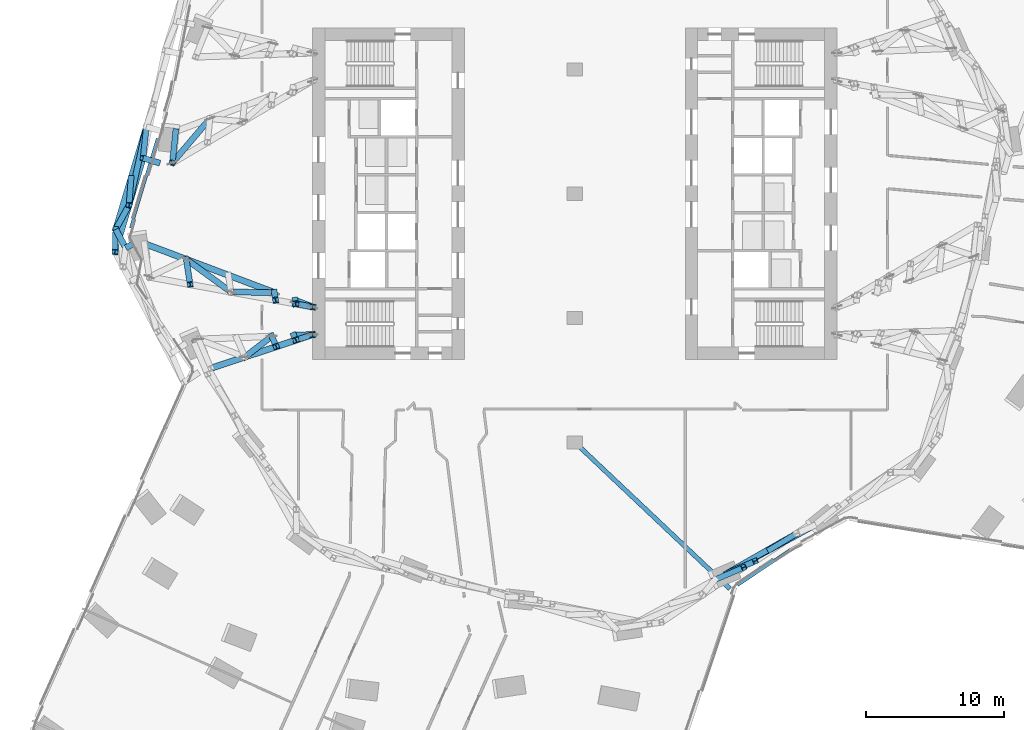
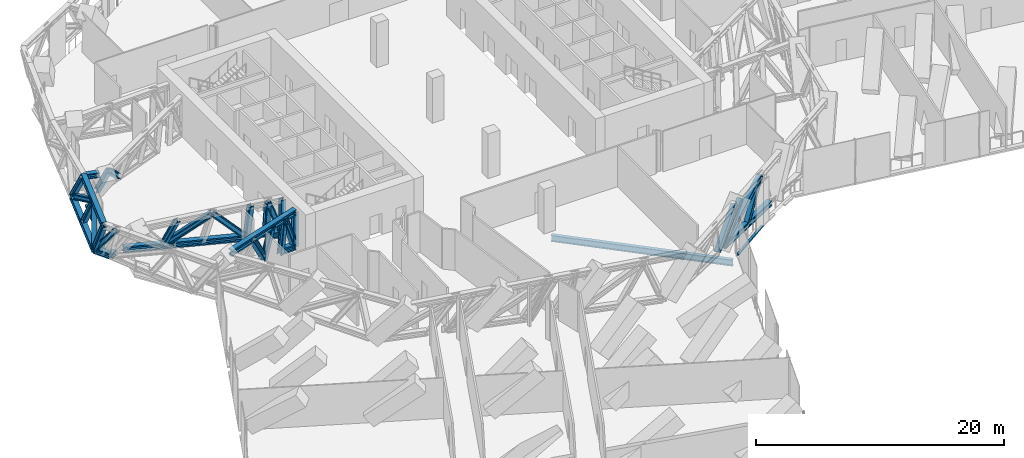
# One storey, part 7 of 39: 36 members, 1 beam, 2 elements without a shape of their own.
"""IFC4 building model written with IfcOpenShell, lengths in metres."""

import ifcopenshell
import ifcopenshell.guid

model = None  # the IFC model being written
_history = None  # IfcOwnerHistory: only IFC2X3 demands one
_inside = {}  # id of a spatial element -> (the spatial element, [elements in it])
_under = {}  # id of a project, library or spatial element -> (it, [spatial elements below it])
_declared = {}  # id of a project -> (the project, [libraries it declares])
_typed = {}  # id of a type object -> (the type object, [elements of that type])
_made_of = {}  # id of a material, layer set ... -> (it, [elements and type objects made of it])


def new_model(schema):
    """Start an empty IFC model of exactly this schema.

    Asked for "IFC4X3", IfcOpenShell would pick the latest addendum, in which some entities
    have other attributes; the version numbers below select the first issue.
    IFC2X3 requires an IfcOwnerHistory on every rooted entity: one is made here for all.
    """
    global model, _history
    if schema == "IFC4X3":
        model = ifcopenshell.file(schema_version=(4, 3, 0, 0))
    else:
        model = ifcopenshell.file(schema=schema)
    _inside.clear()
    _under.clear()
    _declared.clear()
    _typed.clear()
    _made_of.clear()
    _history = None
    if model.schema == "IFC2X3":
        org = make("IfcOrganization", Name="unknown")
        user = make(
            "IfcPersonAndOrganization",
            ThePerson=make("IfcPerson", FamilyName="unknown"),
            TheOrganization=org,
        )
        app = make(
            "IfcApplication",
            ApplicationDeveloper=org,
            Version="unknown",
            ApplicationFullName="unknown",
            ApplicationIdentifier="unknown",
        )
        _history = make(
            "IfcOwnerHistory",
            OwningUser=user,
            OwningApplication=app,
            ChangeAction="ADDED",
            CreationDate=0,
        )
    return model


def make(cls, **values):
    """One entity of the class cls with the attributes given. An attribute that is None is left unset."""
    return model.create_entity(
        cls, **{name: value for name, value in values.items() if value is not None}
    )


def rooted(cls, **values):
    """An entity with a GlobalId (a new one), such as an element, a storey or a relation."""
    return make(cls, GlobalId=ifcopenshell.guid.new(), OwnerHistory=_history, **values)


def si_unit(unit_type, name, prefix=None):
    """IfcSIUnit, for example si_unit("LENGTHUNIT", "METRE", prefix="MILLI")."""
    return make("IfcSIUnit", UnitType=unit_type, Prefix=prefix, Name=name)


def assignment(units):
    """IfcUnitAssignment: the units of a project."""
    return None if units is None else make("IfcUnitAssignment", Units=units)


def point(xyz):
    """IfcCartesianPoint."""
    return None if xyz is None else make("IfcCartesianPoint", Coordinates=xyz)


def direction(xyz):
    """IfcDirection."""
    return None if xyz is None else make("IfcDirection", DirectionRatios=xyz)


def frame(location, z_axis=None, x_axis=None):
    """IfcAxis2Placement3D, a coordinate frame: its origin and axes. An axis left out is left unset."""
    return make(
        "IfcAxis2Placement3D",
        Location=point(location),
        Axis=direction(z_axis),
        RefDirection=direction(x_axis),
    )


def frame_2d(location, x_axis=None):
    """IfcAxis2Placement2D, a coordinate frame in the plane: its origin and x axis."""
    return make(
        "IfcAxis2Placement2D", Location=point(location), RefDirection=direction(x_axis)
    )


def origin():
    """The frame at (0, 0, 0) with its axes left unset."""
    return frame((0.0, 0.0, 0.0))


def origin_2d():
    """The frame at (0, 0) in the plane with its x axis left unset."""
    return frame_2d((0.0, 0.0))


def place(relative_to, where):
    """IfcLocalPlacement: puts the frame where relative to a parent placement (None: the world)."""
    return make(
        "IfcLocalPlacement", PlacementRelTo=relative_to, RelativePlacement=where
    )


def context(
    kind, dimensions, precision=None, world=None, true_north=None, identifier=None
):
    """IfcGeometricRepresentationContext, for example the 3D "Model" context."""
    return make(
        "IfcGeometricRepresentationContext",
        ContextIdentifier=identifier,
        ContextType=kind,
        CoordinateSpaceDimension=dimensions,
        Precision=precision,
        WorldCoordinateSystem=world,
        TrueNorth=true_north,
    )


def subcontext(parent, identifier, kind, view, scale=None):
    """IfcGeometricRepresentationSubContext, for example "Body" below "Model"."""
    return make(
        "IfcGeometricRepresentationSubContext",
        ContextIdentifier=identifier,
        ContextType=kind,
        ParentContext=parent,
        TargetScale=scale,
        TargetView=view,
    )


def project(units=None, contexts=None):
    """IfcProject with its units and contexts."""
    return rooted(
        "IfcProject",
        Name="project",
        RepresentationContexts=contexts,
        UnitsInContext=assignment(units),
    )


def spatial(cls, under=None, at=None, **own):
    """A site, building, storey or space (cls), placed at a placement, below another one or the project."""
    s = rooted(cls, ObjectPlacement=at, **own)
    if under is not None:
        _under.setdefault(under.id(), (under, []))[1].append(s)
    return s


def profile(cls, at=None, kind="AREA", **sizes):
    """A parametric profile (cls). Its sizes go by their IFC names, for example OverallWidth=200.0."""
    return make(cls, ProfileType=kind, Position=at, **sizes)


def rectangle(**sizes):
    """IfcRectangleProfileDef."""
    return profile("IfcRectangleProfileDef", **sizes)


def i_section(**sizes):
    """IfcIShapeProfileDef."""
    return profile("IfcIShapeProfileDef", **sizes)


def extrude(swept, where, along, depth):
    """IfcExtrudedAreaSolid: the profile swept, set in the frame where, extruded along a direction by depth."""
    return make(
        "IfcExtrudedAreaSolid",
        SweptArea=swept,
        Position=where,
        ExtrudedDirection=direction(along),
        Depth=depth,
    )


def shape(context_of_items, identifier, shape_type, items):
    """IfcShapeRepresentation: the items that make up one representation, for example the "Body"."""
    return make(
        "IfcShapeRepresentation",
        ContextOfItems=context_of_items,
        RepresentationIdentifier=identifier,
        RepresentationType=shape_type,
        Items=items,
    )


def material(Name=None, Category=None):
    """IfcMaterial."""
    return make("IfcMaterial", Name=Name, Category=Category)


def material_profile(
    of_material, cross_section, Name=None, Category=None, Priority=None
):
    """IfcMaterialProfile: a cross section and its material."""
    return make(
        "IfcMaterialProfile",
        Name=Name,
        Material=of_material,
        Profile=cross_section,
        Priority=Priority,
        Category=Category,
    )


def profile_set(profiles, Name=None, composite=None):
    """IfcMaterialProfileSet."""
    return make(
        "IfcMaterialProfileSet",
        Name=Name,
        MaterialProfiles=profiles,
        CompositeProfile=composite,
    )


def made_of(thing, what):
    """Note that an element or type object is made of a material, layer set ...; save() writes the relation."""
    if what is not None:
        _made_of.setdefault(what.id(), (what, []))[1].append(thing)
    return thing


def type_object(cls, material=None, **own):
    """A type object (cls), such as IfcWallType, which elements share."""
    return made_of(rooted(cls, **own), material)


def element(
    cls,
    number,
    at=None,
    inside=None,
    cuts=None,
    type_object=None,
    material=None,
    context=None,
    identifier="Body",
    shape_type=None,
    held_by="IfcProductDefinitionShape",
    body=None,
    shapes=None,
    **own,
):
    """One element of the class cls, such as IfcWall. Its Tag is "e" and its number.

    at: its placement. inside: the storey or other place that contains it. cuts: it is an
    opening in that element (IfcRelVoidsElement). A single representation is given by context,
    identifier, shape_type and body (its items); several are given by shapes. held_by: the class
    of the entity that holds the representations. save() writes the other relations.
    """
    e = rooted(cls, Tag="e%d" % number, ObjectPlacement=at, **own)
    if body is not None:
        shapes = [shape(context, identifier, shape_type, body)]
    if shapes is not None:
        e.Representation = make(held_by, Representations=shapes)
    if inside is not None:
        _inside.setdefault(inside.id(), (inside, []))[1].append(e)
    if cuts is not None:
        rooted(
            "IfcRelVoidsElement", RelatingBuildingElement=cuts, RelatedOpeningElement=e
        )
    if type_object is not None:
        _typed.setdefault(type_object.id(), (type_object, []))[1].append(e)
    return made_of(e, material)


def aggregate(whole, parts):
    """IfcRelAggregates: a whole, such as a stair, and the parts it consists of."""
    return rooted("IfcRelAggregates", RelatingObject=whole, RelatedObjects=parts)


def save(model, path):
    """Write the relations noted so far, then the file.

    IfcRelAggregates (storeys below a building ...), IfcRelContainedInSpatialStructure (elements
    in a storey), IfcRelDefinesByType, IfcRelAssociatesMaterial and IfcRelDeclares: one each for
    every whole, place, type object, material and project.
    """
    for whole, parts in _under.values():
        aggregate(whole, parts)
    for where, things in _inside.values():
        rooted(
            "IfcRelContainedInSpatialStructure",
            RelatedElements=things,
            RelatingStructure=where,
        )
    for kind, things in _typed.values():
        rooted("IfcRelDefinesByType", RelatedObjects=things, RelatingType=kind)
    for what, things in _made_of.values():
        rooted("IfcRelAssociatesMaterial", RelatedObjects=things, RelatingMaterial=what)
    for by, libraries in _declared.values():
        rooted("IfcRelDeclares", RelatingContext=by, RelatedDefinitions=libraries)
    model.write(path)


model = new_model("IFC4")

# Units and contexts
model_context = context("Model", 3, precision=1e-05, world=origin(), true_north=direction((0.0, 1.0)))
body_context = subcontext(model_context, "Body", "Model", "MODEL_VIEW")
ifc_project = project(units=[si_unit("LENGTHUNIT", "METRE"), si_unit("AREAUNIT", "SQUARE_METRE"), si_unit("VOLUMEUNIT", "CUBIC_METRE"), si_unit("PLANEANGLEUNIT", "RADIAN"), si_unit("MASSUNIT", "GRAM", prefix="KILO")], contexts=[model_context])

# Site, building, storey
site_placement = place(None, origin())
site = spatial("IfcSite", under=ifc_project, at=site_placement, CompositionType="ELEMENT")
building_placement = place(site_placement, origin())
building = spatial("IfcBuilding", under=site, at=building_placement, Name="Orlundy Tower", CompositionType="ELEMENT")
storey_placement = place(building_placement, frame((0.0, 0.0, 141.199951171875)))
storey = spatial("IfcBuildingStorey", under=building, at=storey_placement, Name="L36", CompositionType="ELEMENT", Elevation=141.199951171875)

# Members
ifc_material_1 = material(Name="Steel ASTM A992 Gr 50", Category="steel")
ifc_material_profile_1 = material_profile(ifc_material_1, i_section(OverallWidth=0.4423828125, OverallDepth=0.531494140625, WebThickness=0.06591796875, FlangeThickness=0.105712890625, at=origin_2d()), Name="W14X605")
ifc_profile_set_1 = profile_set([ifc_material_profile_1], Name="Steel ASTM A992 Gr 50")
member_type_1 = type_object("IfcMemberType", Name="BELT TRUSS chord W14X605", PredefinedType="CHORD", material=ifc_profile_set_1)
member_1_placement = place(storey_placement, frame((10.968994140625, -27.501953125, 0.28466796875), z_axis=(0.877151584315, 0.480213596365, 0.0), x_axis=(-0.480213596365, 0.877151584315, 0.0)))
element("IfcMember", 1, at=member_1_placement, inside=storey, type_object=member_type_1, Name="Belt truss bottom chord BT-08", PredefinedType="CHORD", context=body_context, shape_type="SweptSolid", body=[
    extrude(i_section(OverallWidth=0.4423828125, OverallDepth=0.531494140625, WebThickness=0.06591796875, FlangeThickness=0.105712890625, at=origin_2d()), origin(), (0.0, 0.0, 1.0), 7.1708984375),
])
member_2_placement = place(storey_placement, frame((-31.023193359375, 4.85546875, 0.28466796875), z_axis=(-0.286836783843, -0.957979467126, 0.0), x_axis=(0.957979467126, -0.286836783843, 0.0)))
element("IfcMember", 2, at=member_2_placement, inside=storey, type_object=member_type_1, Name="Belt truss bottom chord BT-24A", PredefinedType="CHORD", context=body_context, shape_type="SweptSolid", body=[
    extrude(i_section(OverallWidth=0.4423828125, OverallDepth=0.531494140625, WebThickness=0.06591796875, FlangeThickness=0.105712890625, at=origin_2d()), origin(), (0.0, 0.0, 1.0), 7.75732421875),
])
member_3_placement = place(storey_placement, frame((-31.260986328125, 2.58056640625, 3.71533203125), z_axis=(-0.286846315318, -0.957976613174, 0.0), x_axis=(0.957976613174, -0.286846315318, 0.0)))
element("IfcMember", 3, at=member_3_placement, inside=storey, type_object=member_type_1, Name="Belt truss top chord BT-24A", PredefinedType="CHORD", context=body_context, shape_type="SweptSolid", body=[
    extrude(i_section(OverallWidth=0.4423828125, OverallDepth=0.531494140625, WebThickness=0.06591796875, FlangeThickness=0.105712890625, at=origin_2d()), origin(), (0.0, 0.0, 1.0), 7.100830078125),
])
member_4_placement = place(storey_placement, frame((-33.248291015625, -2.575927734375, 0.28466796875), z_axis=(0.474338387226, -0.880342600584, 0.0), x_axis=(0.880342600584, 0.474338387226, 0.0)))
element("IfcMember", 4, at=member_4_placement, inside=storey, type_object=member_type_1, Name="Belt truss bottom chord BT-24B", PredefinedType="CHORD", context=body_context, shape_type="SweptSolid", body=[
    extrude(i_section(OverallWidth=0.4423828125, OverallDepth=0.531494140625, WebThickness=0.06591796875, FlangeThickness=0.105712890625, at=origin_2d()), origin(), (0.0, 0.0, 1.0), 1.525634765625),
])
ifc_material_2 = material(Name="Steel ASTM A992 Gr 50", Category="steel")
ifc_material_profile_2 = material_profile(ifc_material_2, i_section(OverallWidth=0.42431640625, OverallDepth=0.47412109375, WebThickness=0.0478515625, FlangeThickness=0.0771484375, at=origin_2d()), Name="W14X426")
ifc_profile_set_2 = profile_set([ifc_material_profile_2], Name="Steel ASTM A992 Gr 50")
member_type_2 = type_object("IfcMemberType", Name="BELT TRUSS diagonal W14X426", PredefinedType="BRACE", material=ifc_profile_set_2)
member_5_placement = place(storey_placement, frame((10.968994140625, -27.501953125, 0.28466796875), z_axis=(0.74969064823, 0.426718186119, 0.505841399641), x_axis=(-0.494673171003, 0.869079083795, 0.0)))
element("IfcMember", 5, at=member_5_placement, inside=storey, type_object=member_type_2, Name="Belt truss diagonal BT-08-0", PredefinedType="BRACE", context=body_context, shape_type="SweptSolid", body=[
    extrude(i_section(OverallWidth=0.42431640625, OverallDepth=0.47412109375, WebThickness=0.0478515625, FlangeThickness=0.0771484375, at=origin_2d()), origin(), (0.0, 0.0, 1.0), 6.781982421875),
])
member_6_placement = place(storey_placement, frame((-31.023193359375, 4.85546875, 0.28466796875), z_axis=(-0.186079633282, -0.840884640198, 0.508219826411), x_axis=(0.976379357184, -0.216063302912, 0.0)))
element("IfcMember", 6, at=member_6_placement, inside=storey, type_object=member_type_2, Name="Belt truss diagonal BT-24A-0", PredefinedType="BRACE", context=body_context, shape_type="SweptSolid", body=[
    extrude(i_section(OverallWidth=0.42431640625, OverallDepth=0.47412109375, WebThickness=0.0478515625, FlangeThickness=0.0771484375, at=origin_2d()), origin(), (0.0, 0.0, 1.0), 6.750244140625),
])
member_7_placement = place(storey_placement, frame((-32.279296875, -0.82080078125, 3.71533203125), z_axis=(-0.243862791877, -0.441705621267, -0.863381192104), x_axis=(0.87544088789, -0.483325202954, 0.0)))
element("IfcMember", 7, at=member_7_placement, inside=storey, type_object=member_type_2, Name="Belt truss diagonal BT-24A-1", PredefinedType="BRACE", context=body_context, shape_type="SweptSolid", body=[
    extrude(i_section(OverallWidth=0.42431640625, OverallDepth=0.47412109375, WebThickness=0.0478515625, FlangeThickness=0.0771484375, at=origin_2d()), origin(), (0.0, 0.0, 1.0), 3.9736328125),
])
member_8_placement = place(storey_placement, frame((-33.248291015625, -2.575927734375, 0.28466796875), z_axis=(0.118658478632, -0.615038126503, 0.779517971824), x_axis=(0.981893198918, 0.189435334399, 0.0)))
element("IfcMember", 8, at=member_8_placement, inside=storey, type_object=member_type_2, Name="Belt truss diagonal BT-24B-0", PredefinedType="BRACE", context=body_context, shape_type="SweptSolid", body=[
    extrude(i_section(OverallWidth=0.42431640625, OverallDepth=0.47412109375, WebThickness=0.0478515625, FlangeThickness=0.0771484375, at=origin_2d()), origin(), (0.0, 0.0, 1.0), 4.401123046875),
])
ifc_material_3 = material(Name="Steel ASTM A992 Gr 50", Category="steel")
ifc_material_profile_3 = material_profile(ifc_material_3, i_section(OverallWidth=0.412109375, OverallDepth=0.434814453125, WebThickness=0.035888671875, FlangeThickness=0.057373046875, at=origin_2d()), Name="W14X311")
ifc_profile_set_3 = profile_set([ifc_material_profile_3], Name="Steel ASTM A992 Gr 50")
member_type_3 = type_object("IfcMemberType", Name="BELT TRUSS post W14X311", PredefinedType="POST", material=ifc_profile_set_3)
member_9_placement = place(storey_placement, frame((10.139892578125, -27.955810546875, 0.28466796875), z_axis=(0.509603381477, 0.219306485999, 0.831991020857), x_axis=(-0.395297037231, 0.918553347583, 0.0)))
element("IfcMember", 9, at=member_9_placement, inside=storey, type_object=member_type_3, Name="Belt truss post BT-07-2", PredefinedType="POST", context=body_context, shape_type="SweptSolid", body=[
    extrude(i_section(OverallWidth=0.412109375, OverallDepth=0.434814453125, WebThickness=0.035888671875, FlangeThickness=0.057373046875, at=origin_2d()), origin(), (0.0, 0.0, 1.0), 4.12353515625),
])
member_10_placement = place(storey_placement, frame((10.968994140625, -27.501953125, 0.28466796875), z_axis=(0.50955954754, 0.219313102962, 0.83201612387), x_axis=(-0.395335791465, 0.918536668831, 0.0)))
element("IfcMember", 10, at=member_10_placement, inside=storey, type_object=member_type_3, Name="Belt truss post BT-08-0", PredefinedType="POST", context=body_context, shape_type="SweptSolid", body=[
    extrude(i_section(OverallWidth=0.412109375, OverallDepth=0.434814453125, WebThickness=0.035888671875, FlangeThickness=0.057373046875, at=origin_2d()), origin(), (0.0, 0.0, 1.0), 4.123291015625),
])
member_11_placement = place(storey_placement, frame((14.114013671875, -25.7802734375, 0.28466796875), z_axis=(0.471701163363, 0.285134565266, 0.834383779907), x_axis=(-0.517312928878, 0.855796315495, 0.0)))
element("IfcMember", 11, at=member_11_placement, inside=storey, type_object=member_type_3, Name="Belt truss post BT-08-1", PredefinedType="POST", context=body_context, shape_type="SweptSolid", body=[
    extrude(i_section(OverallWidth=0.412109375, OverallDepth=0.434814453125, WebThickness=0.035888671875, FlangeThickness=0.057373046875, at=origin_2d()), origin(), (0.0, 0.0, 1.0), 4.111572265625),
])
member_12_placement = place(storey_placement, frame((-31.023193359375, 4.85546875, 0.28466796875), z_axis=(-0.057671261281, -0.551725680303, 0.832029325995), x_axis=(0.9945812229, -0.103962450215, 0.0)))
element("IfcMember", 12, at=member_12_placement, inside=storey, type_object=member_type_3, Name="Belt truss post BT-23A-2", PredefinedType="POST", context=body_context, shape_type="SweptSolid", body=[
    extrude(i_section(OverallWidth=0.412109375, OverallDepth=0.434814453125, WebThickness=0.035888671875, FlangeThickness=0.057373046875, at=origin_2d()), origin(), (0.0, 0.0, 1.0), 4.123291015625),
])
member_13_placement = place(storey_placement, frame((-32.1357421875, 1.139892578125, 0.28466796875), z_axis=(-0.036305883884, -0.495871689584, 0.867636531195), x_axis=(0.997330415864, -0.07302082985, 0.0)))
element("IfcMember", 13, at=member_13_placement, inside=storey, type_object=member_type_3, Name="Belt truss post BT-24A-1", PredefinedType="POST", context=body_context, shape_type="SweptSolid", body=[
    extrude(i_section(OverallWidth=0.412109375, OverallDepth=0.434814453125, WebThickness=0.035888671875, FlangeThickness=0.057373046875, at=origin_2d()), origin(), (0.0, 0.0, 1.0), 3.9541015625),
])
member_14_placement = place(storey_placement, frame((-33.248291015625, -2.575927734375, 0.28466796875), z_axis=(-0.01302367604, -0.432540019022, 0.901520668541), x_axis=(0.999547009172, -0.03009612027, 0.0)))
element("IfcMember", 14, at=member_14_placement, inside=storey, type_object=member_type_3, Name="Belt truss post BT-24A-2", PredefinedType="POST", context=body_context, shape_type="SweptSolid", body=[
    extrude(i_section(OverallWidth=0.412109375, OverallDepth=0.434814453125, WebThickness=0.035888671875, FlangeThickness=0.057373046875, at=origin_2d()), origin(), (0.0, 0.0, 1.0), 3.805419921875),
])
ifc_material_4 = material(Name="Steel ASTM A992 Gr 50", Category="steel")
ifc_material_profile_4 = material_profile(ifc_material_4, i_section(OverallWidth=0.43212890625, OverallDepth=0.497802734375, WebThickness=0.0556640625, FlangeThickness=0.0888671875, at=origin_2d()), Name="W14X500")
ifc_profile_set_4 = profile_set([ifc_material_profile_4], Name="Steel ASTM A992 Gr 50")
member_type_4 = type_object("IfcMemberType", Name="BELT TRUSS strut W14X500", PredefinedType="STRUT", material=ifc_profile_set_4)
member_15_placement = place(storey_placement, frame((-32.043212890625, -3.659423828125, 0.28466796875), z_axis=(-0.880256011153, -0.474499056722, 0.0), x_axis=(0.474499056722, -0.880256011153, 0.0)))
element("IfcMember", 15, at=member_15_placement, inside=storey, type_object=member_type_4, Name="Belt truss bracket C-H16", PredefinedType="STRUT", context=body_context, shape_type="SweptSolid", body=[
    extrude(i_section(OverallWidth=0.43212890625, OverallDepth=0.497802734375, WebThickness=0.0556640625, FlangeThickness=0.0888671875, at=origin_2d()), origin(), (0.0, 0.0, 1.0), 0.546875),
])
member_16_placement = place(storey_placement, frame((-30.039306640625, 2.214599609375, 3.71533203125), z_axis=(-0.957942122226, 0.28696147906, 0.0), x_axis=(-0.28696147906, -0.957942122226, 0.0)))
element("IfcMember", 16, at=member_16_placement, inside=storey, type_object=member_type_4, Name="Belt truss bracket C-H17", PredefinedType="STRUT", context=body_context, shape_type="SweptSolid", body=[
    extrude(i_section(OverallWidth=0.43212890625, OverallDepth=0.497802734375, WebThickness=0.0556640625, FlangeThickness=0.0888671875, at=origin_2d()), origin(), (0.0, 0.0, 1.0), 1.275390625),
])

# Beam
ifc_material_5 = material(Name="Steel ASTM A992 Gr 50", Category="steel")
ifc_material_profile_5 = material_profile(ifc_material_5, i_section(OverallWidth=0.32373046875, OverallDepth=0.611083984375, WebThickness=0.0126953125, FlangeThickness=0.01904296875, at=origin_2d()), Name="W24X104")
ifc_profile_set_5 = profile_set([ifc_material_profile_5], Name="Steel ASTM A992 Gr 50")
beam_type = type_object("IfcBeamType", Name="CANTILEVER GIRDER beam W24X104", PredefinedType="BEAM", material=ifc_profile_set_5)
beam_placement = place(storey_placement, frame((11.230712890625, -28.607666015625, -0.755615234375), z_axis=(-0.726983046677, 0.68665540837, 0.0), x_axis=(-0.68665540837, -0.726983046677, 0.0)))
element("IfcBeam", 17, at=beam_placement, inside=storey, type_object=beam_type, Name="Cantilever girder C-H09 L36", PredefinedType="BEAM", context=body_context, shape_type="SweptSolid", body=[
    extrude(i_section(OverallWidth=0.32373046875, OverallDepth=0.611083984375, WebThickness=0.0126953125, FlangeThickness=0.01904296875, at=origin_2d()), origin(), (0.0, 0.0, 1.0), 15.068115234375),
])

# Curtain wall, member
ifc_material_6 = material(Name="Aluminium bronze anodised", Category="aluminium")
curtain_wall_type = type_object("IfcCurtainWallType", Name="CW4 wall", PredefinedType="NOTDEFINED", material=ifc_material_6)
curtain_wall_1_placement = place(storey_placement, origin())
curtain_wall_1 = element("IfcCurtainWall", 18, at=curtain_wall_1_placement, inside=storey, type_object=curtain_wall_type, Name="CW4 run 016", PredefinedType="NOTDEFINED")
ifc_material_7 = material(Name="Aluminium bronze anodised", Category="aluminium")
ifc_material_profile_6 = material_profile(ifc_material_7, rectangle(XDim=0.199951171875, YDim=0.14990234375, at=origin_2d()), Name="CW4 transom 200x150")
ifc_profile_set_6 = profile_set([ifc_material_profile_6], Name="Aluminium bronze anodised")
member_type_5 = type_object("IfcMemberType", Name="CW4 transom 200x150", PredefinedType="USERDEFINED", material=ifc_profile_set_6)
member_17_placement = place(storey_placement, frame((-32.163330078125, -2.4814453125, -0.375), z_axis=(0.286844570312, 0.957977135678, 0.0), x_axis=(-0.957977135678, 0.286844570312, 0.0)))
member_17 = element("IfcMember", 19, at=member_17_placement, type_object=member_type_5, Name="CW4 transom", ObjectType="TRANSOM", PredefinedType="USERDEFINED", context=body_context, shape_type="SweptSolid", body=[
    extrude(rectangle(XDim=0.199951171875, YDim=0.14990234375, at=origin_2d()), origin(), (0.0, 0.0, 1.0), 6.7646484375),
])
aggregate(curtain_wall_1, [member_17])

curtain_wall_2_placement = place(storey_placement, origin())
curtain_wall_2 = element("IfcCurtainWall", 20, at=curtain_wall_2_placement, inside=storey, type_object=curtain_wall_type, Name="CW4 run 043", PredefinedType="NOTDEFINED")
member_18_placement = place(storey_placement, frame((15.572021484375, -25.803466796875, -0.375), z_axis=(-0.829034062907, -0.559198106702, 0.0), x_axis=(0.559198106702, -0.829034062907, 0.0)))
member_18 = element("IfcMember", 21, at=member_18_placement, type_object=member_type_5, Name="CW4 transom", ObjectType="TRANSOM", PredefinedType="USERDEFINED", context=body_context, shape_type="SweptSolid", body=[
    extrude(rectangle(XDim=0.199951171875, YDim=0.14990234375, at=origin_2d()), origin(), (0.0, 0.0, 1.0), 4.563720703125),
])
aggregate(curtain_wall_2, [member_18])

# Members
ifc_material_8 = material(Name="Steel ASTM A992 Gr 50", Category="steel")
ifc_material_profile_7 = material_profile(ifc_material_8, i_section(OverallWidth=0.454345703125, OverallDepth=0.569580078125, WebThickness=0.077880859375, FlangeThickness=0.124755859375, at=origin_2d()), Name="W14X730")
ifc_profile_set_7 = profile_set([ifc_material_profile_7], Name="Steel ASTM A992 Gr 50")
member_type_6 = type_object("IfcMemberType", Name="OUTRIGGER TRUSS chord W14X730", PredefinedType="CHORD", material=ifc_profile_set_7)
member_19_placement = place(storey_placement, frame((-18.97998046875, -10.199951171875, 0.28466796875), z_axis=(-0.999182859067, -0.040417992867, 0.0), x_axis=(0.040417992867, -0.999182859067, 0.0)))
element("IfcMember", 22, at=member_19_placement, inside=storey, type_object=member_type_6, Name="Outrigger truss bottom chord OR-W-C-H15", PredefinedType="CHORD", context=body_context, shape_type="SweptSolid", body=[
    extrude(i_section(OverallWidth=0.454345703125, OverallDepth=0.569580078125, WebThickness=0.077880859375, FlangeThickness=0.124755859375, at=origin_2d()), origin(), (0.0, 0.0, 1.0), 1.365234375),
])
member_20_placement = place(storey_placement, frame((-18.97998046875, -10.199951171875, 3.71533203125), z_axis=(-0.949488289081, -0.313802467961, 0.0), x_axis=(0.313802467961, -0.949488289081, 0.0)))
element("IfcMember", 23, at=member_20_placement, inside=storey, type_object=member_type_6, Name="Outrigger truss top chord OR-W-C-H15", PredefinedType="CHORD", context=body_context, shape_type="SweptSolid", body=[
    extrude(i_section(OverallWidth=0.454345703125, OverallDepth=0.569580078125, WebThickness=0.077880859375, FlangeThickness=0.124755859375, at=origin_2d()), origin(), (0.0, 0.0, 1.0), 7.764404296875),
])
member_21_placement = place(storey_placement, frame((-18.97998046875, -8.199951171875, 0.28466796875), z_axis=(-0.935768948018, 0.352613777275, 0.0), x_axis=(-0.352613777275, -0.935768948018, 0.0)))
element("IfcMember", 24, at=member_21_placement, inside=storey, type_object=member_type_6, Name="Outrigger truss bottom chord OR-W-C-H16", PredefinedType="CHORD", context=body_context, shape_type="SweptSolid", body=[
    extrude(i_section(OverallWidth=0.454345703125, OverallDepth=0.569580078125, WebThickness=0.077880859375, FlangeThickness=0.124755859375, at=origin_2d()), origin(), (0.0, 0.0, 1.0), 1.364013671875),
])
member_22_placement = place(storey_placement, frame((-21.753662109375, -7.155029296875, 0.28466796875), z_axis=(-0.935791509422, 0.352553897857, 0.0), x_axis=(-0.352553897857, -0.935791509422, 0.0)))
element("IfcMember", 25, at=member_22_placement, inside=storey, type_object=member_type_6, Name="Outrigger truss bottom chord OR-W-C-H162", PredefinedType="CHORD", context=body_context, shape_type="SweptSolid", body=[
    extrude(i_section(OverallWidth=0.454345703125, OverallDepth=0.569580078125, WebThickness=0.077880859375, FlangeThickness=0.124755859375, at=origin_2d()), origin(), (0.0, 0.0, 1.0), 10.07861328125),
])
ifc_material_9 = material(Name="Steel ASTM A992 Gr 50", Category="steel")
ifc_material_profile_8 = material_profile(ifc_material_9, i_section(OverallWidth=0.43212890625, OverallDepth=0.497802734375, WebThickness=0.0556640625, FlangeThickness=0.0888671875, at=origin_2d()), Name="W14X500")
ifc_profile_set_8 = profile_set([ifc_material_profile_8], Name="Steel ASTM A992 Gr 50")
member_type_7 = type_object("IfcMemberType", Name="OUTRIGGER TRUSS diagonal W14X500", PredefinedType="BRACE", material=ifc_profile_set_8)
member_23_placement = place(storey_placement, frame((-18.97998046875, -10.199951171875, 0.28466796875), z_axis=(-0.331788411095, -0.109684874648, 0.936955537118), x_axis=(0.313879854738, -0.949462709531, 0.0)))
element("IfcMember", 26, at=member_23_placement, inside=storey, type_object=member_type_7, Name="Outrigger truss diagonal OR-W-C-H15-0", PredefinedType="BRACE", context=body_context, shape_type="SweptSolid", body=[
    extrude(i_section(OverallWidth=0.43212890625, OverallDepth=0.497802734375, WebThickness=0.0556640625, FlangeThickness=0.0888671875, at=origin_2d()), origin(), (0.0, 0.0, 1.0), 3.66162109375),
])
member_24_placement = place(storey_placement, frame((-21.942626953125, -10.320068359375, 0.28466796875), z_axis=(-0.462193621995, -0.356080393286, 0.812147652403), x_axis=(0.610299419901, -0.792170826318, 0.0)))
element("IfcMember", 27, at=member_24_placement, inside=storey, type_object=member_type_7, Name="Outrigger truss diagonal OR-W-C-H15-2", PredefinedType="BRACE", context=body_context, shape_type="SweptSolid", body=[
    extrude(i_section(OverallWidth=0.43212890625, OverallDepth=0.497802734375, WebThickness=0.0556640625, FlangeThickness=0.0888671875, at=origin_2d()), origin(), (0.0, 0.0, 1.0), 4.22412109375),
])
member_25_placement = place(storey_placement, frame((-18.97998046875, -8.199951171875, 0.28466796875), z_axis=(-0.33873066607, 0.062200838286, 0.938825112351), x_axis=(-0.180609391503, -0.983554903247, 0.0)))
element("IfcMember", 28, at=member_25_placement, inside=storey, type_object=member_type_7, Name="Outrigger truss diagonal OR-W-C-H16-0", PredefinedType="BRACE", context=body_context, shape_type="SweptSolid", body=[
    extrude(i_section(OverallWidth=0.43212890625, OverallDepth=0.497802734375, WebThickness=0.0556640625, FlangeThickness=0.0888671875, at=origin_2d()), origin(), (0.0, 0.0, 1.0), 3.654296875),
])
member_26_placement = place(storey_placement, frame((-21.753662109375, -7.155029296875, 0.28466796875), z_axis=(-0.67558339096, 0.008971403266, 0.737228998196), x_axis=(-0.013278319834, -0.999911839225, 0.0)))
element("IfcMember", 29, at=member_26_placement, inside=storey, type_object=member_type_7, Name="Outrigger truss diagonal OR-W-C-H16-2", PredefinedType="BRACE", context=body_context, shape_type="SweptSolid", body=[
    extrude(i_section(OverallWidth=0.43212890625, OverallDepth=0.497802734375, WebThickness=0.0556640625, FlangeThickness=0.0888671875, at=origin_2d()), origin(), (0.0, 0.0, 1.0), 4.653564453125),
])
member_27_placement = place(storey_placement, frame((-24.8974609375, -7.11328125, 3.71533203125), z_axis=(-0.613567925267, 0.447771281611, -0.650411623857), x_axis=(-0.589497010911, -0.807770557849, 0.0)))
element("IfcMember", 30, at=member_27_placement, inside=storey, type_object=member_type_7, Name="Outrigger truss diagonal OR-W-C-H16-3", PredefinedType="BRACE", context=body_context, shape_type="SweptSolid", body=[
    extrude(i_section(OverallWidth=0.43212890625, OverallDepth=0.497802734375, WebThickness=0.0556640625, FlangeThickness=0.0888671875, at=origin_2d()), origin(), (0.0, 0.0, 1.0), 5.274658203125),
])
member_28_placement = place(storey_placement, frame((-26.42431640625, 5.43896484375, 0.28466796875), z_axis=(-0.501713916208, -0.589597185244, 0.632975754225), x_axis=(0.761584603872, -0.648065499116, 0.0)))
element("IfcMember", 31, at=member_28_placement, inside=storey, type_object=member_type_7, Name="Outrigger truss diagonal OR-W-C-H17-4", PredefinedType="BRACE", context=body_context, shape_type="SweptSolid", body=[
    extrude(i_section(OverallWidth=0.43212890625, OverallDepth=0.497802734375, WebThickness=0.0556640625, FlangeThickness=0.0888671875, at=origin_2d()), origin(), (0.0, 0.0, 1.0), 5.419921875),
])
ifc_material_10 = material(Name="Steel ASTM A992 Gr 50", Category="steel")
ifc_material_profile_9 = material_profile(ifc_material_10, i_section(OverallWidth=0.41845703125, OverallDepth=0.455078125, WebThickness=0.0419921875, FlangeThickness=0.067626953125, at=origin_2d()), Name="W14X370")
ifc_profile_set_9 = profile_set([ifc_material_profile_9], Name="Steel ASTM A992 Gr 50")
member_type_8 = type_object("IfcMemberType", Name="OUTRIGGER TRUSS post W14X370", PredefinedType="POST", material=ifc_profile_set_9)
member_29_placement = place(storey_placement, frame((-18.97998046875, -10.199951171875, 0.28466796875), z_axis=(0.0, 0.0, 1.0), x_axis=(1.0, 0.0, 0.0)))
element("IfcMember", 32, at=member_29_placement, inside=storey, type_object=member_type_8, Name="Outrigger truss post OR-W-C-H15-0", PredefinedType="POST", context=body_context, shape_type="SweptSolid", body=[
    extrude(i_section(OverallWidth=0.41845703125, OverallDepth=0.455078125, WebThickness=0.0419921875, FlangeThickness=0.067626953125, at=origin_2d()), origin(), (0.0, 0.0, 1.0), 3.4306640625),
])
member_30_placement = place(storey_placement, frame((-20.343994140625, -10.255126953125, 0.0), z_axis=(0.039944504069, -0.092768005359, 0.994886191369), x_axis=(0.918474113963, 0.395481101925, 0.0)))
element("IfcMember", 33, at=member_30_placement, inside=storey, type_object=member_type_8, Name="Outrigger truss post OR-W-C-H15-1", PredefinedType="POST", context=body_context, shape_type="SweptSolid", body=[
    extrude(i_section(OverallWidth=0.41845703125, OverallDepth=0.455078125, WebThickness=0.0419921875, FlangeThickness=0.067626953125, at=origin_2d()), origin(), (0.0, 0.0, 1.0), 3.734375),
])
member_31_placement = place(storey_placement, frame((-21.942626953125, -10.320068359375, 0.0), z_axis=(0.085092324347, -0.197650346147, 0.976572392097), x_axis=(0.918495945031, 0.395430397114, 0.0)))
element("IfcMember", 34, at=member_31_placement, inside=storey, type_object=member_type_8, Name="Outrigger truss post OR-W-C-H15-2", PredefinedType="POST", context=body_context, shape_type="SweptSolid", body=[
    extrude(i_section(OverallWidth=0.41845703125, OverallDepth=0.455078125, WebThickness=0.0419921875, FlangeThickness=0.067626953125, at=origin_2d()), origin(), (0.0, 0.0, 1.0), 3.804443359375),
])
member_32_placement = place(storey_placement, frame((-18.97998046875, -8.199951171875, 0.28466796875), z_axis=(0.0, 0.0, 1.0), x_axis=(1.0, 0.0, 0.0)))
element("IfcMember", 35, at=member_32_placement, inside=storey, type_object=member_type_8, Name="Outrigger truss post OR-W-C-H16-0", PredefinedType="POST", context=body_context, shape_type="SweptSolid", body=[
    extrude(i_section(OverallWidth=0.41845703125, OverallDepth=0.455078125, WebThickness=0.0419921875, FlangeThickness=0.067626953125, at=origin_2d()), origin(), (0.0, 0.0, 1.0), 3.4306640625),
])
member_33_placement = place(storey_placement, frame((-20.25634765625, -7.718994140625, 0.0), z_axis=(0.01035777213, -0.068112185083, 0.997623900475), x_axis=(0.988634214789, 0.15034091043, 0.0)))
element("IfcMember", 36, at=member_33_placement, inside=storey, type_object=member_type_8, Name="Outrigger truss post OR-W-C-H16-1", PredefinedType="POST", context=body_context, shape_type="SweptSolid", body=[
    extrude(i_section(OverallWidth=0.41845703125, OverallDepth=0.455078125, WebThickness=0.0419921875, FlangeThickness=0.067626953125, at=origin_2d()), origin(), (0.0, 0.0, 1.0), 3.72412109375),
])
member_34_placement = place(storey_placement, frame((-21.753662109375, -7.155029296875, 0.0), z_axis=(0.022419591628, -0.146669618275, 0.988931435938), x_axis=(0.988518073626, 0.151102674081, 0.0)))
element("IfcMember", 37, at=member_34_placement, inside=storey, type_object=member_type_8, Name="Outrigger truss post OR-W-C-H16-2", PredefinedType="POST", context=body_context, shape_type="SweptSolid", body=[
    extrude(i_section(OverallWidth=0.41845703125, OverallDepth=0.455078125, WebThickness=0.0419921875, FlangeThickness=0.067626953125, at=origin_2d()), origin(), (0.0, 0.0, 1.0), 3.7568359375),
])
member_35_placement = place(storey_placement, frame((-28.1337890625, -4.75146484375, 0.28466796875), z_axis=(0.071310263243, -0.467122990881, 0.881312066039), x_axis=(0.988547489428, 0.15091010949, 0.0)))
element("IfcMember", 38, at=member_35_placement, inside=storey, type_object=member_type_8, Name="Outrigger truss post OR-W-C-H16-4", PredefinedType="POST", context=body_context, shape_type="SweptSolid", body=[
    extrude(i_section(OverallWidth=0.41845703125, OverallDepth=0.455078125, WebThickness=0.0419921875, FlangeThickness=0.067626953125, at=origin_2d()), origin(), (0.0, 0.0, 1.0), 3.892578125),
])
member_36_placement = place(storey_placement, frame((-28.90576171875, 4.5185546875, 0.28466796875), z_axis=(-0.057669377262, -0.551766865204, 0.832002145063), x_axis=(0.994582376357, -0.103951414805, 0.0)))
element("IfcMember", 39, at=member_36_placement, inside=storey, type_object=member_type_8, Name="Outrigger truss post OR-W-C-H17-5", PredefinedType="POST", context=body_context, shape_type="SweptSolid", body=[
    extrude(i_section(OverallWidth=0.41845703125, OverallDepth=0.455078125, WebThickness=0.0419921875, FlangeThickness=0.067626953125, at=origin_2d()), origin(), (0.0, 0.0, 1.0), 4.123291015625),
])

save(model, "model.ifc")
